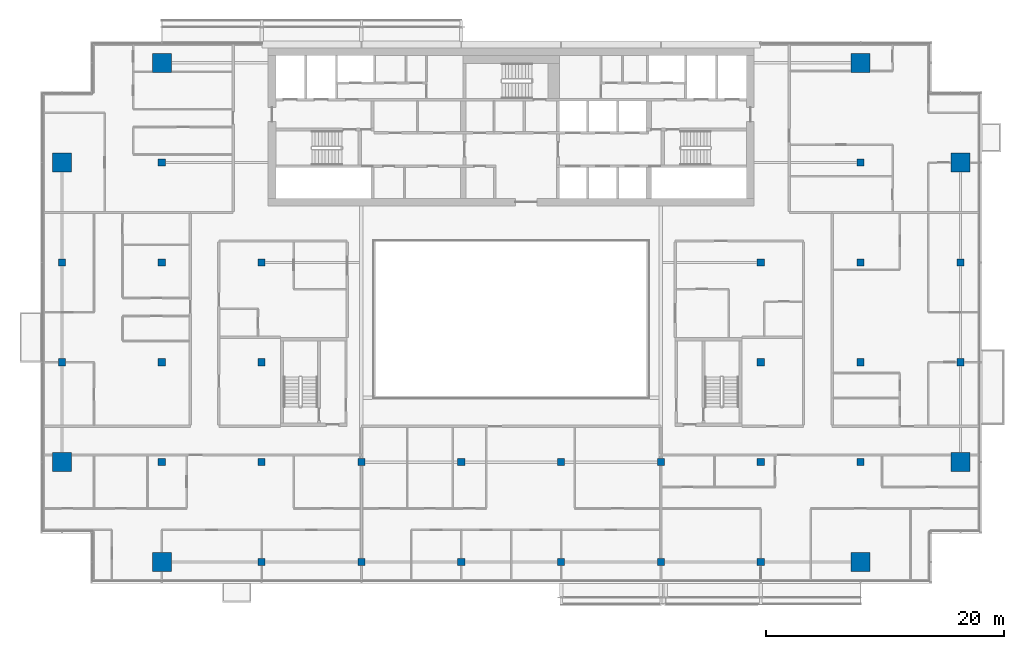
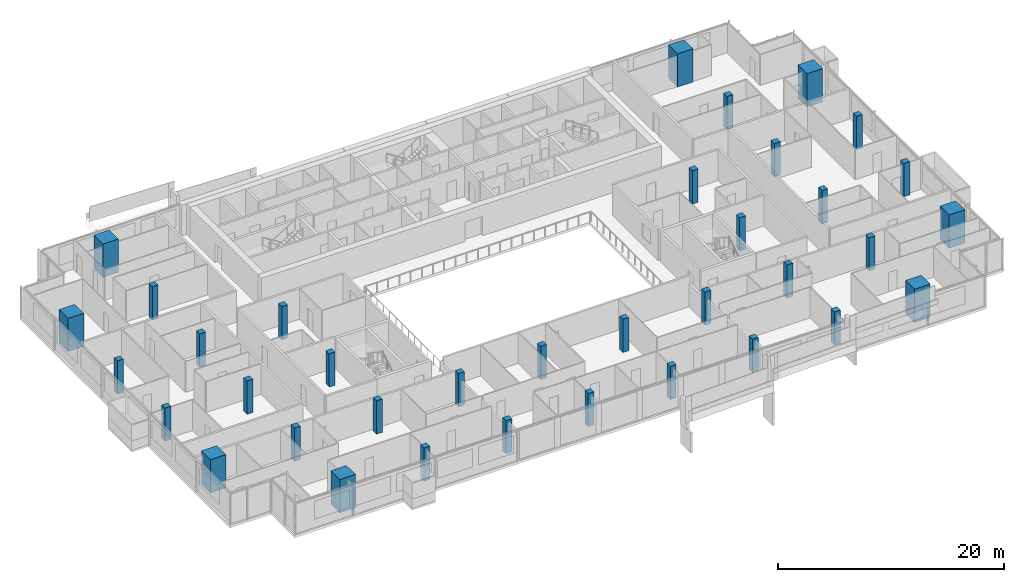
# One storey, part 1 of 27: 36 columns.
"""IFC4 building model written with IfcOpenShell, lengths in metres."""

from ifc_helpers import new_model, si_unit, direction, frame, origin, origin_2d, place, context, subcontext, project, spatial, rectangle, extrude, material, material_profile, profile_set, type_object, element, save


model = new_model("IFC4")

# Units and contexts
model_context = context("Model", 3, precision=1e-05, world=origin(), true_north=direction((0.0, 1.0)))
body_context = subcontext(model_context, "Body", "Model", "MODEL_VIEW")
ifc_project = project(units=[si_unit("LENGTHUNIT", "METRE"), si_unit("AREAUNIT", "SQUARE_METRE"), si_unit("VOLUMEUNIT", "CUBIC_METRE"), si_unit("PLANEANGLEUNIT", "RADIAN"), si_unit("MASSUNIT", "GRAM", prefix="KILO")], contexts=[model_context])

# Site, building, storey
site_placement = place(None, origin())
site = spatial("IfcSite", under=ifc_project, at=site_placement, CompositionType="ELEMENT")
building_placement = place(site_placement, origin())
building = spatial("IfcBuilding", under=site, at=building_placement, Name="Saffron Gate Tower", CompositionType="ELEMENT")
storey_placement = place(building_placement, frame((0.0, 0.0, 234.300048828125)))
storey = spatial("IfcBuildingStorey", under=building, at=storey_placement, Name="L57", CompositionType="ELEMENT", Elevation=234.300048828125)

# Columns
ifc_material_1 = material(Name="Concrete C50", Category="concrete")
ifc_material_profile_1 = material_profile(ifc_material_1, rectangle(XDim=0.60009765625, YDim=0.60009765625, at=origin_2d()))
ifc_profile_set_1 = profile_set([ifc_material_profile_1], Name="Concrete C50")
column_type_1 = type_object("IfcColumnType", Name="C2 RC 600x600 CONCRETE C50", PredefinedType="COLUMN", material=ifc_profile_set_1)
for number, where, z_axis, x_axis, name in (
    (1, (49.800048828125, 48.60009765625, 0.0), (0.0, 0.0, 1.0), (1.0, 0.0, 0.0), "C2 COLUMN X1-C"),
    (2, (49.800048828125, 57.0, 0.0), (0.0, 0.0, 1.0), (1.0, 0.0, 0.0), "C2 COLUMN X1-D"),
    (3, (58.199951171875, 40.199951171875, 0.0), (0.0, 0.0, 1.0), (1.0, 0.0, 0.0), "C2 COLUMN X2-B"),
    (4, (58.199951171875, 48.60009765625, 0.0), (0.0, 0.0, 1.0), (1.0, 0.0, 0.0), "C2 COLUMN X2-C"),
    (5, (58.199951171875, 57.0, 0.0), (0.0, 0.0, 1.0), (1.0, 0.0, 0.0), "C2 COLUMN X2-D"),
    (6, (58.199951171875, 65.39990234375, 0.0), (0.0, 0.0, 1.0), (1.0, 0.0, 0.0), "C2 COLUMN X2-E"),
    (7, (66.60009765625, 31.800048828125, 0.0), (0.0, 0.0, 1.0), (1.0, 0.0, 0.0), "C2 COLUMN X3-A"),
    (8, (66.60009765625, 40.199951171875, 0.0), (0.0, 0.0, 1.0), (1.0, 0.0, 0.0), "C2 COLUMN X3-B"),
    (9, (66.60009765625, 48.60009765625, 0.0), (0.0, 0.0, 1.0), (1.0, 0.0, 0.0), "C2 COLUMN X3-C"),
    (10, (66.60009765625, 57.0, 0.0), (0.0, 0.0, 1.0), (1.0, 0.0, 0.0), "C2 COLUMN X3-D"),
    (11, (75.0, 31.800048828125, 0.0), (0.0, 0.0, 1.0), (1.0, 0.0, 0.0), "C2 COLUMN X4-A"),
    (12, (75.0, 40.199951171875, 0.0), (0.0, 0.0, 1.0), (1.0, 0.0, 0.0), "C2 COLUMN X4-B"),
    (13, (83.39990234375, 31.800048828125, 0.0), (0.0, 0.0, 1.0), (1.0, 0.0, 0.0), "C2 COLUMN X5-A"),
    (14, (83.39990234375, 40.199951171875, 0.0), (0.0, 0.0, 1.0), (1.0, 0.0, 0.0), "C2 COLUMN X5-B"),
    (15, (91.800048828125, 31.800048828125, 0.0), (0.0, 0.0, 1.0), (1.0, 0.0, 0.0), "C2 COLUMN X6-A"),
    (16, (91.800048828125, 40.199951171875, 0.0), (0.0, 0.0, 1.0), (1.0, 0.0, 0.0), "C2 COLUMN X6-B"),
    (17, (100.199951171875, 31.800048828125, 0.0), (0.0, 0.0, 1.0), (1.0, 0.0, 0.0), "C2 COLUMN X7-A"),
    (18, (100.199951171875, 40.199951171875, 0.0), (0.0, 0.0, 1.0), (1.0, 0.0, 0.0), "C2 COLUMN X7-B"),
    (19, (108.60009765625, 31.800048828125, 0.0), (0.0, 0.0, 1.0), (1.0, 0.0, 0.0), "C2 COLUMN X8-A"),
    (20, (108.60009765625, 40.199951171875, 0.0), (0.0, 0.0, 1.0), (1.0, 0.0, 0.0), "C2 COLUMN X8-B"),
    (21, (108.60009765625, 48.60009765625, 0.0), (0.0, 0.0, 1.0), (1.0, 0.0, 0.0), "C2 COLUMN X8-C"),
    (22, (108.60009765625, 57.0, 0.0), (0.0, 0.0, 1.0), (1.0, 0.0, 0.0), "C2 COLUMN X8-D"),
    (23, (117.0, 40.199951171875, 0.0), (0.0, 0.0, 1.0), (1.0, 0.0, 0.0), "C2 COLUMN X9-B"),
    (24, (117.0, 48.60009765625, 0.0), (0.0, 0.0, 1.0), (1.0, 0.0, 0.0), "C2 COLUMN X9-C"),
    (25, (117.0, 57.0, 0.0), (0.0, 0.0, 1.0), (1.0, 0.0, 0.0), "C2 COLUMN X9-D"),
    (26, (117.0, 65.39990234375, 0.0), (0.0, 0.0, 1.0), (1.0, 0.0, 0.0), "C2 COLUMN X9-E"),
    (27, (125.39990234375, 48.60009765625, 0.0), (0.0, 0.0, 1.0), (1.0, 0.0, 0.0), "C2 COLUMN X10-C"),
    (28, (125.39990234375, 57.0, 0.0), (0.0, 0.0, 1.0), (1.0, 0.0, 0.0), "C2 COLUMN X10-D"),
):
    element("IfcColumn", number, at=place(storey_placement, frame(where, z_axis=z_axis, x_axis=x_axis)), inside=storey, type_object=column_type_1, Name=name, PredefinedType="COLUMN", context=body_context, shape_type="SweptSolid", body=[
        extrude(rectangle(XDim=0.60009765625, YDim=0.60009765625, at=origin_2d()), origin(), (0.0, 0.0, 1.0), 3.599853515625),
    ])
ifc_material_2 = material(Name="Concrete C70", Category="concrete")
ifc_material_profile_2 = material_profile(ifc_material_2, rectangle(XDim=1.60009765625, YDim=1.60009765625, at=origin_2d()))
ifc_profile_set_2 = profile_set([ifc_material_profile_2], Name="Concrete C70")
column_type_2 = type_object("IfcColumnType", Name="MC1 RC 1600x1600 CONCRETE C70", PredefinedType="COLUMN", material=ifc_profile_set_2)
for number, where, z_axis, x_axis, name in (
    (29, (49.800048828125, 40.199951171875, 0.0), (0.0, 0.0, 1.0), (1.0, 0.0, 0.0), "MC1 MEGA COLUMN X1-B"),
    (30, (49.800048828125, 65.39990234375, 0.0), (0.0, 0.0, 1.0), (1.0, 0.0, 0.0), "MC1 MEGA COLUMN X1-E"),
    (31, (58.199951171875, 31.800048828125, 0.0), (0.0, 0.0, 1.0), (1.0, 0.0, 0.0), "MC1 MEGA COLUMN X2-A"),
    (32, (58.199951171875, 73.800048828125, 0.0), (0.0, 0.0, 1.0), (1.0, 0.0, 0.0), "MC1 MEGA COLUMN X2-F"),
    (33, (117.0, 31.800048828125, 0.0), (0.0, 0.0, 1.0), (1.0, 0.0, 0.0), "MC1 MEGA COLUMN X9-A"),
    (34, (117.0, 73.800048828125, 0.0), (0.0, 0.0, 1.0), (1.0, 0.0, 0.0), "MC1 MEGA COLUMN X9-F"),
    (35, (125.39990234375, 40.199951171875, 0.0), (0.0, 0.0, 1.0), (1.0, 0.0, 0.0), "MC1 MEGA COLUMN X10-B"),
    (36, (125.39990234375, 65.39990234375, 0.0), (0.0, 0.0, 1.0), (1.0, 0.0, 0.0), "MC1 MEGA COLUMN X10-E"),
):
    element("IfcColumn", number, at=place(storey_placement, frame(where, z_axis=z_axis, x_axis=x_axis)), inside=storey, type_object=column_type_2, Name=name, PredefinedType="COLUMN", context=body_context, shape_type="SweptSolid", body=[
        extrude(rectangle(XDim=1.60009765625, YDim=1.60009765625, at=origin_2d()), origin(), (0.0, 0.0, 1.0), 3.599853515625),
    ])

save(model, "model.ifc")
